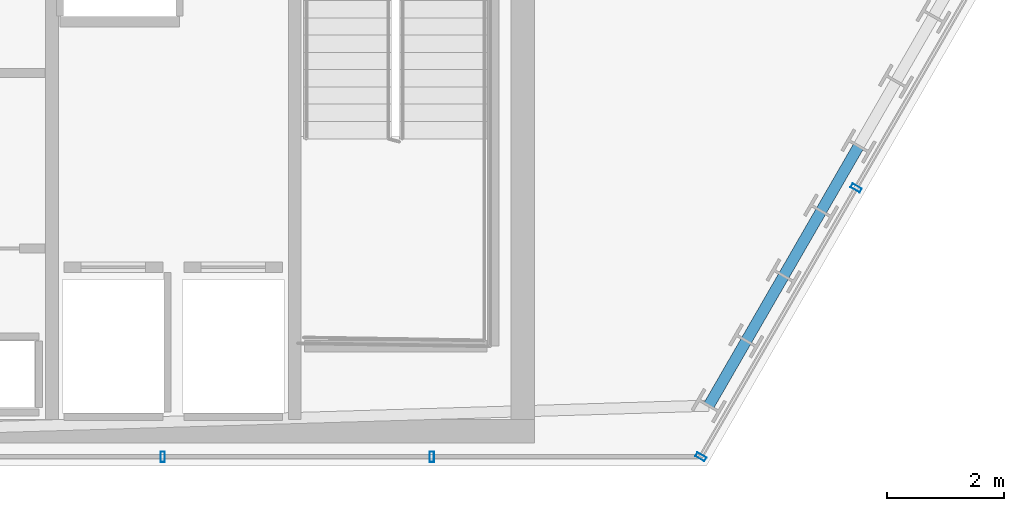
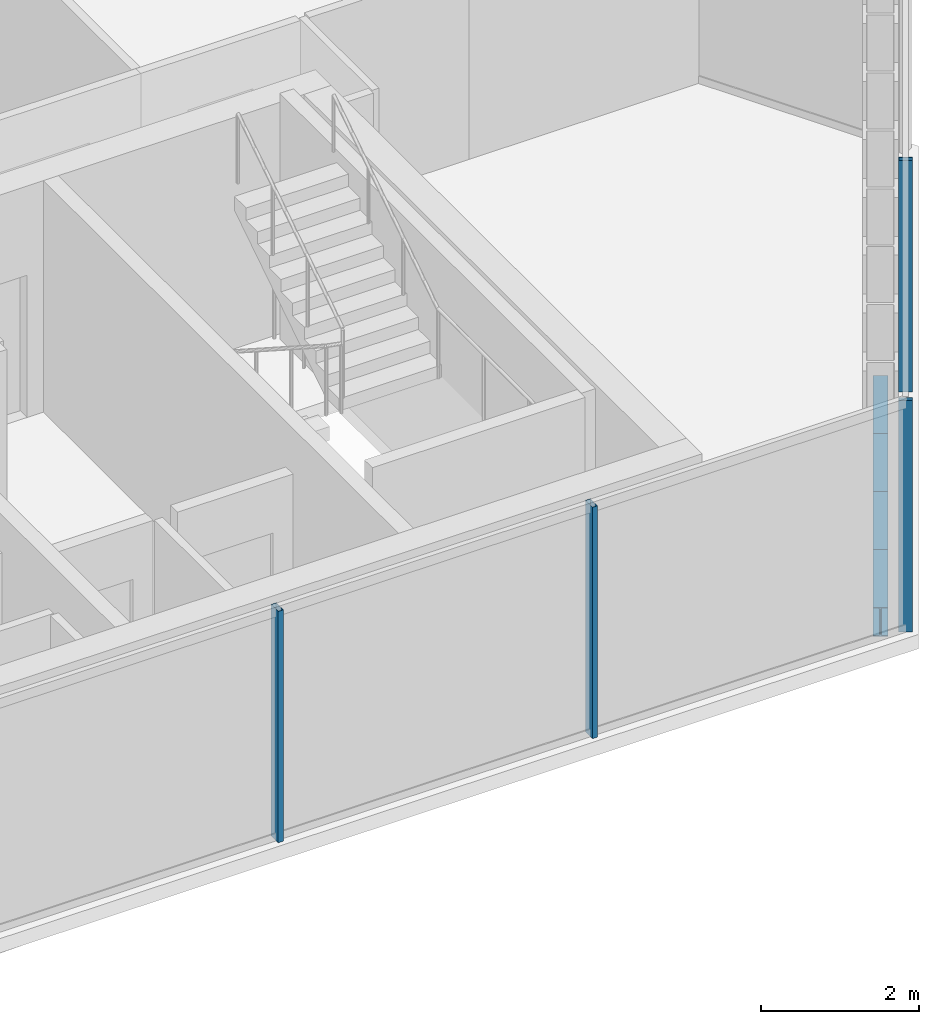
# One storey, part 15 of 33: 4 beams, 4 members, 2 elements without a shape of their own.
"""IFC4 building model written with IfcOpenShell, lengths in metres."""

from ifc_helpers import new_model, si_unit, direction, frame, origin, origin_2d, place, context, subcontext, project, spatial, hollow_rectangle, i_section, extrude, material, layer, layer_set, material_profile, profile_set, type_object, element, aggregate, save


model = new_model("IFC4")

# Units and contexts
model_context = context("Model", 3, precision=1e-05, world=origin(), true_north=direction((0.0, 1.0)))
body_context = subcontext(model_context, "Body", "Model", "MODEL_VIEW")
ifc_project = project(units=[si_unit("LENGTHUNIT", "METRE"), si_unit("AREAUNIT", "SQUARE_METRE"), si_unit("VOLUMEUNIT", "CUBIC_METRE"), si_unit("PLANEANGLEUNIT", "RADIAN"), si_unit("MASSUNIT", "GRAM", prefix="KILO")], contexts=[model_context])

# Site, building, storey
site_placement = place(None, origin())
site = spatial("IfcSite", under=ifc_project, at=site_placement, CompositionType="ELEMENT")
building_placement = place(site_placement, origin())
building = spatial("IfcBuilding", under=site, at=building_placement, Name="Ndaravel Arena Tower", CompositionType="ELEMENT")
storey_placement = place(building_placement, frame((0.0, 0.0, 165.0)))
storey = spatial("IfcBuildingStorey", under=building, at=storey_placement, Name="L39", CompositionType="ELEMENT", Elevation=165.0)

# Beams
ifc_material_1 = material(Name="Steel S355", Category="steel")
ifc_material_profile_1 = material_profile(ifc_material_1, i_section(OverallWidth=0.18994140625, OverallDepth=0.449951171875, WebThickness=0.009521484375, FlangeThickness=0.0146484375, FilletRadius=0.02099609375, at=origin_2d()), Name="IPE 450")
ifc_profile_set_1 = profile_set([ifc_material_profile_1], Name="Steel S355")
beam_type = type_object("IfcBeamType", Name="BM-SPAN-IPE450", PredefinedType="SPANDREL", material=ifc_profile_set_1)
beam_1_placement = place(storey_placement, frame((60.52587890625, 6.0341796875, -0.445068359375), z_axis=(0.499893060024, 0.866087136806, 0.0), x_axis=(-0.866087136806, 0.499893060024, 0.0)))
element("IfcBeam", 1, at=beam_1_placement, inside=storey, type_object=beam_type, Name="L39 Perimeter Spandrel Beam SP-02", PredefinedType="SPANDREL", context=body_context, shape_type="SweptSolid", body=[
    extrude(i_section(OverallWidth=0.18994140625, OverallDepth=0.449951171875, WebThickness=0.009521484375, FlangeThickness=0.0146484375, FilletRadius=0.02099609375, at=origin_2d()), origin(), (0.0, 0.0, 1.0), 1.280029296875),
])
beam_2_placement = place(storey_placement, frame((61.165771484375, 7.142822265625, -0.445068359375), z_axis=(0.500036104519, 0.866004557827, 0.0), x_axis=(-0.866004557827, 0.500036104519, 0.0)))
element("IfcBeam", 2, at=beam_2_placement, inside=storey, type_object=beam_type, Name="L39 Perimeter Spandrel Beam SP-03", PredefinedType="SPANDREL", context=body_context, shape_type="SweptSolid", body=[
    extrude(i_section(OverallWidth=0.18994140625, OverallDepth=0.449951171875, WebThickness=0.009521484375, FlangeThickness=0.0146484375, FilletRadius=0.02099609375, at=origin_2d()), origin(), (0.0, 0.0, 1.0), 1.2802734375),
])
beam_3_placement = place(storey_placement, frame((61.805908203125, 8.25146484375, -0.445068359375), z_axis=(0.499975646431, 0.866039463868, 0.0), x_axis=(-0.866039463868, 0.499975646431, 0.0)))
element("IfcBeam", 3, at=beam_3_placement, inside=storey, type_object=beam_type, Name="L39 Perimeter Spandrel Beam SP-04", PredefinedType="SPANDREL", context=body_context, shape_type="SweptSolid", body=[
    extrude(i_section(OverallWidth=0.18994140625, OverallDepth=0.449951171875, WebThickness=0.009521484375, FlangeThickness=0.0146484375, FilletRadius=0.02099609375, at=origin_2d()), origin(), (0.0, 0.0, 1.0), 1.27978515625),
])
beam_4_placement = place(storey_placement, frame((62.44580078125, 9.35986328125, -0.445068359375), z_axis=(0.500036104519, 0.866004557827, 0.0), x_axis=(-0.866004557827, 0.500036104519, 0.0)))
element("IfcBeam", 4, at=beam_4_placement, inside=storey, type_object=beam_type, Name="L39 Perimeter Spandrel Beam SP-05", PredefinedType="SPANDREL", context=body_context, shape_type="SweptSolid", body=[
    extrude(i_section(OverallWidth=0.18994140625, OverallDepth=0.449951171875, WebThickness=0.009521484375, FlangeThickness=0.0146484375, FilletRadius=0.02099609375, at=origin_2d()), origin(), (0.0, 0.0, 1.0), 1.2802734375),
])

# Curtain wall, members
ifc_material_2 = material(Name="Aluminium", Category="aluminium")
ifc_layer_1 = layer(ifc_material_2, 0.179931640625)
ifc_layer_set_1 = layer_set([ifc_layer_1], Name="Aluminium")
curtain_wall_type_1 = type_object("IfcCurtainWallType", Name="CW-SYS-03", PredefinedType="NOTDEFINED", material=ifc_layer_set_1)
curtain_wall_1_placement = place(storey_placement, origin())
curtain_wall_1 = element("IfcCurtainWall", 5, at=curtain_wall_1_placement, inside=storey, type_object=curtain_wall_type_1, Name="L39 Faceted Crystal Curtain Wall CW-L39-E01", PredefinedType="NOTDEFINED")
ifc_material_3 = material(Name="Aluminium", Category="aluminium")
ifc_material_profile_2 = material_profile(ifc_material_3, hollow_rectangle(XDim=0.074951171875, YDim=0.179931640625, WallThickness=0.00390625, at=origin_2d()), Name="CW MULLION 75x180x4")
ifc_profile_set_2 = profile_set([ifc_material_profile_2], Name="Aluminium")
member_type = type_object("IfcMemberType", Name="MEM-CW-MUL180", PredefinedType="MULLION", material=ifc_profile_set_2)
member_1_placement = place(storey_placement, frame((51.1953125, 5.159912109375, 0.0), z_axis=(0.0, 0.0, 1.0), x_axis=(1.0, 0.0, 0.0)))
member_1 = element("IfcMember", 6, at=member_1_placement, type_object=member_type, Name="CW-L39-E01 Mullion 06", PredefinedType="MULLION", context=body_context, shape_type="SweptSolid", body=[
    extrude(hollow_rectangle(XDim=0.074951171875, YDim=0.179931640625, WallThickness=0.00390625, at=origin_2d()), origin(), (0.0, 0.0, 1.0), 3.580078125),
])
member_2_placement = place(storey_placement, frame((55.79296875, 5.159912109375, 0.0), z_axis=(0.0, 0.0, 1.0), x_axis=(1.0, 0.0, 0.0)))
member_2 = element("IfcMember", 7, at=member_2_placement, type_object=member_type, Name="CW-L39-E01 Mullion 07", PredefinedType="MULLION", context=body_context, shape_type="SweptSolid", body=[
    extrude(hollow_rectangle(XDim=0.074951171875, YDim=0.179931640625, WallThickness=0.00390625, at=origin_2d()), origin(), (0.0, 0.0, 1.0), 3.580078125),
])
aggregate(curtain_wall_1, [member_1, member_2])

ifc_material_4 = material(Name="Aluminium", Category="aluminium")
ifc_layer_2 = layer(ifc_material_4, 0.179931640625)
ifc_layer_set_2 = layer_set([ifc_layer_2], Name="Aluminium")
curtain_wall_type_2 = type_object("IfcCurtainWallType", Name="CW-SYS-01", PredefinedType="NOTDEFINED", material=ifc_layer_set_2)
curtain_wall_2_placement = place(storey_placement, origin())
curtain_wall_2 = element("IfcCurtainWall", 8, at=curtain_wall_2_placement, inside=storey, type_object=curtain_wall_type_2, Name="L39 Faceted Crystal Curtain Wall CW-L39-E02", PredefinedType="NOTDEFINED")
member_3_placement = place(storey_placement, frame((60.390380859375, 5.159912109375, 0.0), z_axis=(0.0, 0.0, 1.0), x_axis=(0.5, 0.866025403784, 0.0)))
member_3 = element("IfcMember", 9, at=member_3_placement, type_object=member_type, Name="CW-L39-E02 Mullion 00", PredefinedType="MULLION", context=body_context, shape_type="SweptSolid", body=[
    extrude(hollow_rectangle(XDim=0.074951171875, YDim=0.179931640625, WallThickness=0.00390625, at=origin_2d()), origin(), (0.0, 0.0, 1.0), 3.580078125),
])
member_4_placement = place(storey_placement, frame((63.04296875, 9.754150390625, 0.0), z_axis=(0.0, 0.0, 1.0), x_axis=(0.5, 0.866025403784, 0.0)))
member_4 = element("IfcMember", 10, at=member_4_placement, type_object=member_type, Name="CW-L39-E02 Mullion 01", PredefinedType="MULLION", context=body_context, shape_type="SweptSolid", body=[
    extrude(hollow_rectangle(XDim=0.074951171875, YDim=0.179931640625, WallThickness=0.00390625, at=origin_2d()), origin(), (0.0, 0.0, 1.0), 3.580078125),
])
aggregate(curtain_wall_2, [member_3, member_4])

save(model, "model.ifc")
